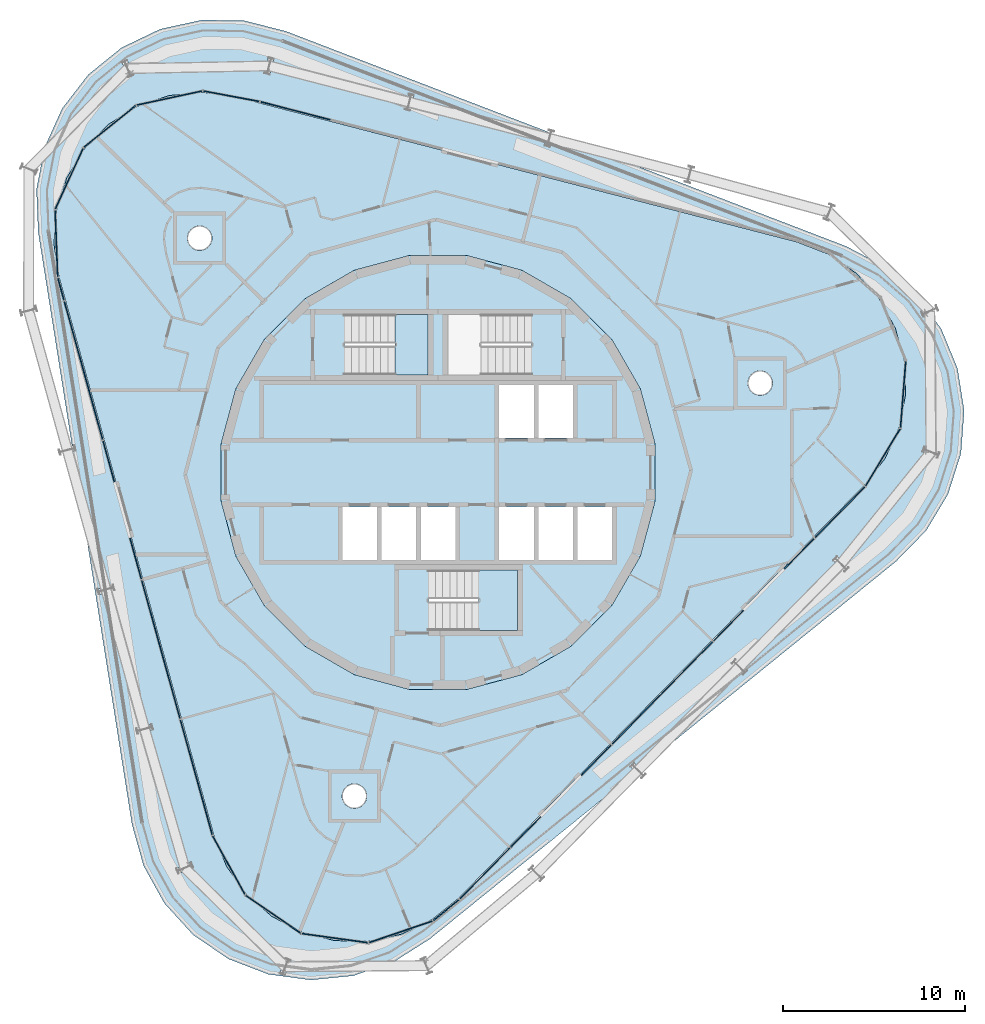
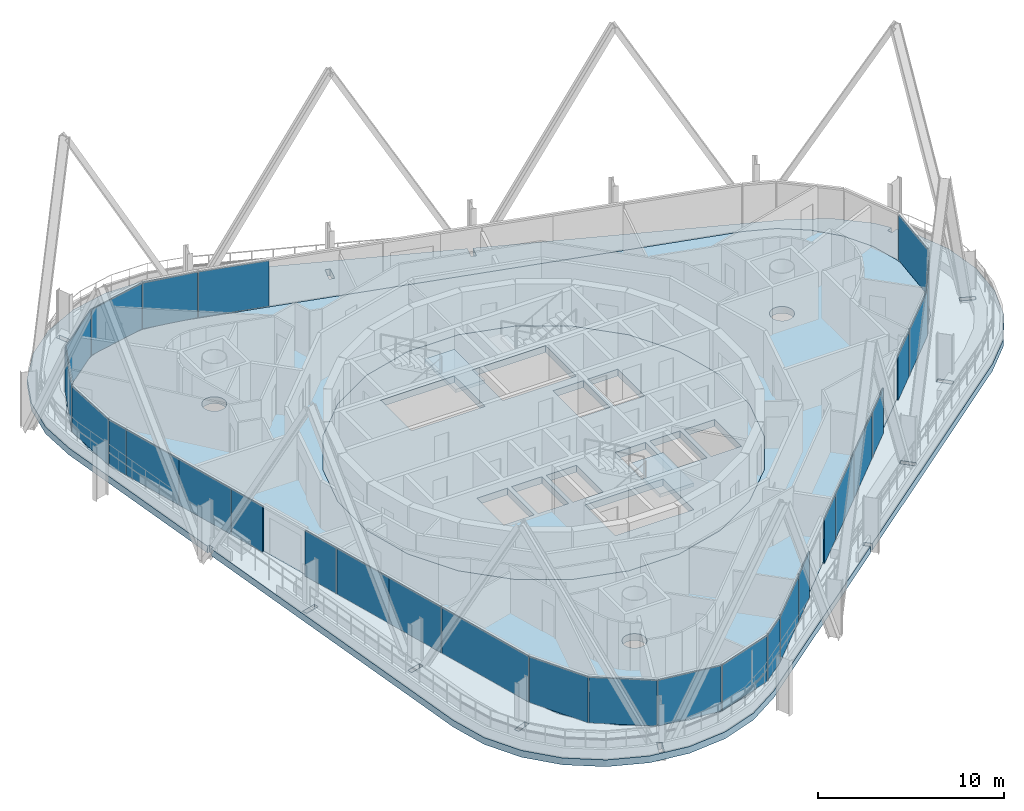
# One storey, part 8 of 18: 29 plates, 5 slabs, 8 elements without a shape of their own.
"""IFC4 building model written with IfcOpenShell, lengths in metres."""

from ifc_helpers import new_model, si_unit, direction, frame, origin, origin_2d, place, context, subcontext, project, spatial, polyline, rectangle, outline, extrude, material, layer, layer_set, type_object, element, aggregate, save


model = new_model("IFC4")

# Units and contexts
model_context = context("Model", 3, precision=1e-05, world=origin(), true_north=direction((0.0, 1.0)))
body_context = subcontext(model_context, "Body", "Model", "MODEL_VIEW")
ifc_project = project(units=[si_unit("LENGTHUNIT", "METRE"), si_unit("AREAUNIT", "SQUARE_METRE"), si_unit("VOLUMEUNIT", "CUBIC_METRE"), si_unit("PLANEANGLEUNIT", "RADIAN"), si_unit("MASSUNIT", "GRAM", prefix="KILO")], contexts=[model_context])

# Site, building, storey
site_placement = place(None, origin())
site = spatial("IfcSite", under=ifc_project, at=site_placement, CompositionType="ELEMENT")
building_placement = place(site_placement, origin())
building = spatial("IfcBuilding", under=site, at=building_placement, Name="Spindle Arch Residences", CompositionType="ELEMENT")
storey_placement = place(building_placement, frame((0.0, 0.0, 298.199951171875)))
storey = spatial("IfcBuildingStorey", under=building, at=storey_placement, Name="L76", CompositionType="ELEMENT", Elevation=298.199951171875)

# Slabs
ifc_material_1 = material(Name="Concrete C40/50", Category="concrete")
ifc_layer_1 = layer(ifc_material_1, 0.449951171875)
ifc_layer_set_1 = layer_set([ifc_layer_1], Name="Compartment floor slab 450")
slab_type_1 = type_object("IfcSlabType", Name="Compartment floor slab 450", PredefinedType="FLOOR", material=ifc_layer_set_1)
slab_1_placement = place(storey_placement, frame((0.0, 0.0, -0.449951171875)))
element("IfcSlab", 1, at=slab_1_placement, inside=storey, type_object=slab_type_1, Name="Floor slab L76", PredefinedType="FLOOR", context=body_context, shape_type="SweptSolid", body=[
    extrude(outline(polyline([(-0.330078125, -24.517333984375), (-2.006591796875, -25.317138671875), (-3.822509765625, -25.70849609375), (-5.6796875, -25.6708984375), (-7.477783203125, -25.205810546875), (-9.12060546875, -24.33837890625), (-10.518798828125, -23.11572265625), (-11.597412109375, -21.603515625), (-12.29833984375, -19.88330078125), (-20.782470703125, 10.709228515625), (-21.067626953125, 12.544677734375), (-20.921875, 14.396484375), (-20.35302734375, 16.164794921875), (-19.3916015625, 17.754150390625), (-18.08984375, 19.078857421875), (-16.517333984375, 20.06787109375), (-14.759521484375, 20.66748046875), (-12.910400390625, 20.845458984375), (-11.0703125, 20.59228515625), (19.665771484375, 12.6435546875), (21.397705078125, 11.972900390625), (22.9287109375, 10.920654296875), (24.175537109375, 9.5439453125), (25.0712890625, 7.916748046875), (25.567626953125, 6.126708984375), (25.637939453125, 4.2705078125), (25.2783203125, 2.4482421875), (24.5078125, 0.758056640625), (23.36865234375, -0.708984375), (12.24267578125, -12.03076171875), (1.11669921875, -23.352783203125), (-0.330078125, -24.517333984375)]), holes=[polyline([(7.30517578125, -9.520263671875), (9.520263671875, -7.30517578125), (11.086669921875, -4.59228515625), (11.897216796875, -1.56640625), (11.897216796875, 1.56640625), (11.086669921875, 4.59228515625), (9.520263671875, 7.30517578125), (7.30517578125, 9.520263671875), (4.59228515625, 11.086669921875), (1.56640625, 11.897216796875), (-1.56640625, 11.897216796875), (-4.59228515625, 11.086669921875), (-7.30517578125, 9.520263671875), (-9.520263671875, 7.30517578125), (-11.086669921875, 4.59228515625), (-11.897216796875, 1.56640625), (-11.897216796875, -1.56640625), (-11.086669921875, -4.59228515625), (-9.520263671875, -7.30517578125), (-7.30517578125, -9.520263671875), (-4.59228515625, -11.086669921875), (-1.56640625, -11.897216796875), (1.56640625, -11.897216796875), (4.59228515625, -11.086669921875), (7.30517578125, -9.520263671875)]), polyline([(-4.028076171875, -18.120361328125), (-3.9658203125, -18.003662109375), (-3.92724609375, -17.877197265625), (-3.914306640625, -17.745361328125), (-3.92724609375, -17.61376953125), (-3.9658203125, -17.487060546875), (-4.028076171875, -17.370361328125), (-4.112060546875, -17.26806640625), (-4.21435546875, -17.18408203125), (-4.3310546875, -17.121826171875), (-4.45751953125, -17.08349609375), (-4.58935546875, -17.0703125), (-4.720947265625, -17.08349609375), (-4.84765625, -17.121826171875), (-4.96435546875, -17.18408203125), (-5.066650390625, -17.26806640625), (-5.150390625, -17.370361328125), (-5.212890625, -17.487060546875), (-5.251220703125, -17.61376953125), (-5.264404296875, -17.745361328125), (-5.251220703125, -17.877197265625), (-5.212890625, -18.003662109375), (-5.150390625, -18.120361328125), (-5.066650390625, -18.22265625), (-4.96435546875, -18.306640625), (-4.84765625, -18.368896484375), (-4.720947265625, -18.407470703125), (-4.58935546875, -18.42041015625), (-4.45751953125, -18.407470703125), (-4.3310546875, -18.368896484375), (-4.21435546875, -18.306640625), (-4.112060546875, -18.22265625), (-4.028076171875, -18.120361328125)]), polyline([(-12.595947265625, 12.369873046875), (-12.51220703125, 12.47216796875), (-12.44970703125, 12.5888671875), (-12.411376953125, 12.71533203125), (-12.398193359375, 12.84716796875), (-12.411376953125, 12.978759765625), (-12.44970703125, 13.10546875), (-12.51220703125, 13.22216796875), (-12.595947265625, 13.324462890625), (-12.6982421875, 13.408203125), (-12.81494140625, 13.470703125), (-12.941650390625, 13.509033203125), (-13.0732421875, 13.522216796875), (-13.205078125, 13.509033203125), (-13.33154296875, 13.470703125), (-13.4482421875, 13.408203125), (-13.550537109375, 13.324462890625), (-13.634521484375, 13.22216796875), (-13.697021484375, 13.10546875), (-13.7353515625, 12.978759765625), (-13.748291015625, 12.84716796875), (-13.7353515625, 12.71533203125), (-13.697021484375, 12.5888671875), (-13.634521484375, 12.47216796875), (-13.550537109375, 12.369873046875), (-13.4482421875, 12.285888671875), (-13.33154296875, 12.223388671875), (-13.205078125, 12.18505859375), (-13.0732421875, 12.172119140625), (-12.941650390625, 12.18505859375), (-12.81494140625, 12.223388671875), (-12.6982421875, 12.285888671875), (-12.595947265625, 12.369873046875)]), polyline([(18.139892578125, 4.4208984375), (18.223876953125, 4.523193359375), (18.2861328125, 4.639892578125), (18.32470703125, 4.7666015625), (18.337646484375, 4.898193359375), (18.32470703125, 5.030029296875), (18.2861328125, 5.156494140625), (18.223876953125, 5.273193359375), (18.139892578125, 5.37548828125), (18.03759765625, 5.45947265625), (17.9208984375, 5.52197265625), (17.794189453125, 5.560302734375), (17.66259765625, 5.5732421875), (17.531005859375, 5.560302734375), (17.404296875, 5.52197265625), (17.28759765625, 5.45947265625), (17.185302734375, 5.37548828125), (17.101318359375, 5.273193359375), (17.0390625, 5.156494140625), (17.00048828125, 5.030029296875), (16.987548828125, 4.898193359375), (17.00048828125, 4.7666015625), (17.0390625, 4.639892578125), (17.101318359375, 4.523193359375), (17.185302734375, 4.4208984375), (17.28759765625, 4.337158203125), (17.404296875, 4.274658203125), (17.531005859375, 4.236328125), (17.66259765625, 4.223388671875), (17.794189453125, 4.236328125), (17.9208984375, 4.274658203125), (18.03759765625, 4.337158203125), (18.139892578125, 4.4208984375)])]), origin(), (0.0, 0.0, 1.0), 0.449951171875),
])
ifc_material_2 = material(Name="Concrete C50/60", Category="concrete")
ifc_layer_2 = layer(ifc_material_2, 0.449951171875)
ifc_layer_set_2 = layer_set([ifc_layer_2], Name="Core floor slab 450")
slab_type_2 = type_object("IfcSlabType", Name="Core floor slab 450", PredefinedType="FLOOR", material=ifc_layer_set_2)
slab_2_placement = place(storey_placement, frame((0.0, 0.0, -0.449951171875)))
element("IfcSlab", 2, at=slab_2_placement, inside=storey, type_object=slab_type_2, Name="Core floor L76", PredefinedType="FLOOR", context=body_context, shape_type="SweptSolid", body=[
    extrude(outline(polyline([(1.56640625, -11.897216796875), (4.59228515625, -11.086669921875), (7.30517578125, -9.520263671875), (9.520263671875, -7.30517578125), (11.086669921875, -4.59228515625), (11.897216796875, -1.56640625), (11.897216796875, 1.56640625), (11.086669921875, 4.59228515625), (9.520263671875, 7.30517578125), (7.30517578125, 9.520263671875), (4.59228515625, 11.086669921875), (1.56640625, 11.897216796875), (-1.56640625, 11.897216796875), (-4.59228515625, 11.086669921875), (-7.30517578125, 9.520263671875), (-9.520263671875, 7.30517578125), (-11.086669921875, 4.59228515625), (-11.897216796875, 1.56640625), (-11.897216796875, -1.56640625), (-11.086669921875, -4.59228515625), (-9.520263671875, -7.30517578125), (-7.30517578125, -9.520263671875), (-4.59228515625, -11.086669921875), (-1.56640625, -11.897216796875), (1.56640625, -11.897216796875)]), holes=[polyline([(3.35009765625, 1.89990234375), (5.25, 1.89990234375), (5.25, 4.800048828125), (3.35009765625, 4.800048828125), (3.35009765625, 1.89990234375)]), polyline([(5.5, 1.89990234375), (7.39990234375, 1.89990234375), (7.39990234375, 4.800048828125), (5.5, 4.800048828125), (5.5, 1.89990234375)]), polyline([(-5.25, -4.800048828125), (-3.35009765625, -4.800048828125), (-3.35009765625, -1.89990234375), (-5.25, -1.89990234375), (-5.25, -4.800048828125)]), polyline([(-3.10009765625, -4.800048828125), (-1.199951171875, -4.800048828125), (-1.199951171875, -1.89990234375), (-3.10009765625, -1.89990234375), (-3.10009765625, -4.800048828125)]), polyline([(-0.949951171875, -4.800048828125), (0.949951171875, -4.800048828125), (0.949951171875, -1.89990234375), (-0.949951171875, -1.89990234375), (-0.949951171875, -4.800048828125)]), polyline([(3.35009765625, -4.800048828125), (5.25, -4.800048828125), (5.25, -1.89990234375), (3.35009765625, -1.89990234375), (3.35009765625, -4.800048828125)]), polyline([(5.5, -4.800048828125), (7.39990234375, -4.800048828125), (7.39990234375, -1.89990234375), (5.5, -1.89990234375), (5.5, -4.800048828125)]), polyline([(7.64990234375, -4.800048828125), (9.550048828125, -4.800048828125), (9.550048828125, -1.89990234375), (7.64990234375, -1.89990234375), (7.64990234375, -4.800048828125)]), polyline([(5.1298828125, 8.669921875), (0.550048828125, 8.669921875), (0.550048828125, 5.35009765625), (5.1298828125, 5.35009765625), (5.1298828125, 8.669921875)]), polyline([(-5.1298828125, 5.35009765625), (-0.550048828125, 5.35009765625), (-0.550048828125, 8.669921875), (-5.1298828125, 8.669921875), (-5.1298828125, 5.35009765625)]), polyline([(-0.530029296875, -8.669921875), (4.35009765625, -8.669921875), (4.35009765625, -5.35009765625), (-0.530029296875, -5.35009765625), (-0.530029296875, -8.669921875)])]), origin(), (0.0, 0.0, 1.0), 0.449951171875),
])

# Stair, slab
ifc_material_3 = material(Name="Concrete C50/60", Category="concrete")
stair_type = type_object("IfcStairType", Name="Exit stair 16 risers", PredefinedType="HALF_TURN_STAIR", material=ifc_material_3)
stair_1_placement = place(storey_placement, origin())
stair_1 = element("IfcStair", 3, at=stair_1_placement, inside=storey, type_object=stair_type, Name="L76 Exit stair ST2", PredefinedType="HALF_TURN_STAIR")
ifc_material_4 = material(Name="Concrete C50/60", Category="concrete")
ifc_layer_3 = layer(ifc_material_4, 0.219970703125)
ifc_layer_set_3 = layer_set([ifc_layer_3], Name="Exit stair landing 220")
slab_type_3 = type_object("IfcSlabType", Name="Exit stair landing 220", PredefinedType="LANDING", material=ifc_layer_set_3)
slab_3_placement = place(storey_placement, frame((0.0, 0.0, 1.530029296875)))
slab_3 = element("IfcSlab", 4, at=slab_3_placement, type_object=slab_type_3, Name="ST2 landing 1", PredefinedType="LANDING", context=body_context, shape_type="SweptSolid", body=[
    extrude(outline(polyline([(-2.3701171875, 5.35009765625), (-0.550048828125, 5.35009765625), (-0.550048828125, 8.669921875), (-2.3701171875, 8.669921875), (-2.3701171875, 5.35009765625)])), origin(), (0.0, 0.0, 1.0), 0.219970703125),
])
aggregate(stair_1, [slab_3])

stair_2_placement = place(storey_placement, origin())
stair_2 = element("IfcStair", 5, at=stair_2_placement, inside=storey, type_object=stair_type, Name="L76 Exit stair ST3", PredefinedType="HALF_TURN_STAIR")
slab_4_placement = place(storey_placement, frame((0.0, 0.0, 1.530029296875)))
slab_4 = element("IfcSlab", 6, at=slab_4_placement, type_object=slab_type_3, Name="ST3 landing 1", PredefinedType="LANDING", context=body_context, shape_type="SweptSolid", body=[
    extrude(outline(polyline([(2.22998046875, -8.669921875), (4.35009765625, -8.669921875), (4.35009765625, -5.35009765625), (2.22998046875, -5.35009765625), (2.22998046875, -8.669921875)])), origin(), (0.0, 0.0, 1.0), 0.219970703125),
])
aggregate(stair_2, [slab_4])

# Slab
ifc_material_5 = material(Name="Concrete C40/50", Category="concrete")
ifc_layer_4 = layer(ifc_material_5, 0.449951171875)
ifc_layer_set_4 = layer_set([ifc_layer_4], Name="Terrace slab 450")
slab_type_4 = type_object("IfcSlabType", Name="Terrace slab 450", PredefinedType="FLOOR", material=ifc_layer_set_4)
slab_5_placement = place(storey_placement, frame((0.0, 0.0, -0.449951171875)))
element("IfcSlab", 7, at=slab_5_placement, inside=storey, type_object=slab_type_4, Name="Terrace slab L75", PredefinedType="FLOOR", context=body_context, shape_type="SweptSolid", body=[
    extrude(outline(polyline([(-2.431884765625, -26.835205078125), (-4.649169921875, -27.5986328125), (-6.98291015625, -27.830078125), (-9.306884765625, -27.517333984375), (-11.496337890625, -26.677001953125), (-13.432861328125, -25.354248046875), (-15.011962890625, -23.62060546875), (-16.14892578125, -21.569580078125), (-16.7822265625, -19.311767578125), (-20.023681640625, 1.1533203125), (-19.857421875, 1.199462890625), (-19.9375, 1.488525390625), (-20.07080078125, 1.45166015625), (-21.928466796875, 13.180419921875), (-22.02392578125, 15.523681640625), (-21.576416015625, 17.82568359375), (-20.610107421875, 19.96240234375), (-19.17724609375, 21.818603515625), (-17.354736328125, 23.29443359375), (-15.240966796875, 24.310302734375), (-12.9501953125, 24.81103515625), (-10.60546875, 24.770263671875), (-8.333251953125, 24.189697265625), (6.0400390625, 18.672119140625), (5.845947265625, 17.921875), (6.136474609375, 17.8466796875), (6.322021484375, 18.56396484375), (22.37890625, 12.400390625), (24.455810546875, 11.3115234375), (26.2255859375, 9.77294921875), (26.81787109375, 8.947998046875), (26.48681640625, 8.807373046875), (26.60400390625, 8.53125), (26.9970703125, 8.697998046875), (27.593017578125, 7.867919921875), (28.484130859375, 5.698486328125), (28.85107421875, 3.38232421875), (28.673828125, 1.0439453125), (27.962158203125, -1.1904296875), (26.75439453125, -3.20068359375), (25.115478515625, -4.8779296875), (12.33251953125, -15.2294921875), (11.081787109375, -16.2421875), (10.743896484375, -15.91015625), (10.533447265625, -16.124267578125), (10.84716796875, -16.432373046875), (-0.450439453125, -25.580810546875), (-2.431884765625, -26.835205078125)]), holes=[polyline([(24.5078125, 0.758056640625), (25.2783203125, 2.4482421875), (25.637939453125, 4.2705078125), (25.567626953125, 6.126708984375), (25.0712890625, 7.916748046875), (24.175537109375, 9.5439453125), (22.9287109375, 10.920654296875), (21.397705078125, 11.972900390625), (19.665771484375, 12.6435546875), (-11.0703125, 20.59228515625), (-12.910400390625, 20.845458984375), (-14.759521484375, 20.66748046875), (-16.517333984375, 20.06787109375), (-18.08984375, 19.078857421875), (-19.3916015625, 17.754150390625), (-20.35302734375, 16.164794921875), (-20.921875, 14.396484375), (-21.067626953125, 12.544677734375), (-20.782470703125, 10.709228515625), (-12.29833984375, -19.88330078125), (-11.597412109375, -21.603515625), (-10.518798828125, -23.11572265625), (-9.12060546875, -24.33837890625), (-7.477783203125, -25.205810546875), (-5.6796875, -25.6708984375), (-3.822509765625, -25.70849609375), (-2.006591796875, -25.317138671875), (-0.330078125, -24.517333984375), (1.11669921875, -23.352783203125), (12.24267578125, -12.03076171875), (23.36865234375, -0.708984375), (24.5078125, 0.758056640625)]), polyline([(-8.680908203125, -27.470703125), (-8.402587890625, -27.583251953125), (-8.0654296875, -26.748779296875), (-8.34375, -26.636474609375), (-8.680908203125, -27.470703125)]), polyline([(-14.3603515625, -21.7265625), (-14.2431640625, -22.002685546875), (-13.414794921875, -21.6513671875), (-13.53173828125, -21.375244140625), (-14.3603515625, -21.7265625)]), polyline([(-16.563720703125, -14.044921875), (-16.4833984375, -14.333984375), (-15.6162109375, -14.093505859375), (-15.696533203125, -13.804443359375), (-16.563720703125, -14.044921875)]), polyline([(-17.817138671875, -6.157958984375), (-18.684326171875, -6.3984375), (-18.60400390625, -6.6875), (-17.73681640625, -6.447021484375), (-17.817138671875, -6.157958984375)]), polyline([(-1.320556640625, 20.704833984375), (-1.611083984375, 20.77978515625), (-1.83642578125, 19.90869140625), (-1.5458984375, 19.83349609375), (-1.320556640625, 20.704833984375)]), polyline([(-16.70458984375, 21.7890625), (-17.05615234375, 22.617431640625), (-17.33251953125, 22.50048828125), (-16.980712890625, 21.671875), (-16.70458984375, 21.7890625)]), polyline([(-9.228271484375, 21.8203125), (-9.0029296875, 22.69140625), (-9.29345703125, 22.7666015625), (-9.518798828125, 21.895263671875), (-9.228271484375, 21.8203125)]), polyline([(16.09521484375, -10.464599609375), (16.7373046875, -11.09521484375), (16.947509765625, -10.88134765625), (16.3056640625, -10.25048828125), (16.09521484375, -10.464599609375)]), polyline([(21.656982421875, -4.8046875), (22.299072265625, -5.435546875), (22.50927734375, -5.2216796875), (21.867431640625, -4.5908203125), (21.656982421875, -4.8046875)]), polyline([(27.387451171875, 0.80517578125), (27.499755859375, 1.083251953125), (26.665283203125, 1.42041015625), (26.552978515625, 1.142333984375), (27.387451171875, 0.80517578125)])]), origin(), (0.0, 0.0, 1.0), 0.449951171875),
])

# Curtain wall, plates
ifc_material_6 = material(Name="Aluminium bronze unitised frame with tinted glass", Category="aluminium")
ifc_layer_5 = layer(ifc_material_6, 0.159912109375)
ifc_layer_set_5 = layer_set([ifc_layer_5], Name="CW-D corner wall on the fillet arcs")
curtain_wall_type_1 = type_object("IfcCurtainWallType", Name="CW-D corner wall on the fillet arcs", PredefinedType="NOTDEFINED", material=ifc_layer_set_5)
curtain_wall_1_placement = place(storey_placement, origin())
curtain_wall_1 = element("IfcCurtainWall", 8, at=curtain_wall_1_placement, inside=storey, type_object=curtain_wall_type_1, Name="CW-D L76 run 1", PredefinedType="NOTDEFINED")
ifc_material_7 = material(Name="Tinted double glazing over aluminium faced non-combustible spandrel zone (K0)", Category="aluminium")
ifc_layer_6 = layer(ifc_material_7, 0.06005859375)
ifc_layer_set_6 = layer_set([ifc_layer_6], Name="Unitised glass panel with E 60 spandrel zone")
plate_type = type_object("IfcPlateType", Name="Unitised glass panel with E 60 spandrel zone", PredefinedType="CURTAIN_PANEL", material=ifc_layer_set_6)
plate_1_placement = place(storey_placement, frame((22.033935546875, -2.18115234375, -0.44970703125), z_axis=(0.0, 0.0, 1.0), x_axis=(0.7009092643, 0.713250449154, 0.0)))
plate_1 = element("IfcPlate", 9, at=plate_1_placement, type_object=plate_type, Name="CW-D unit 00", PredefinedType="CURTAIN_PANEL", context=body_context, shape_type="SweptSolid", body=[
    extrude(rectangle(XDim=3.910888671875, YDim=0.06005859375, at=origin_2d()), origin(), (0.0, 0.0, 1.0), 3.449951171875),
])
plate_2_placement = place(storey_placement, frame((24.39013671875, 0.829345703125, -0.44970703125), z_axis=(0.0, 0.0, 1.0), x_axis=(0.517529288252, 0.855665492936, 0.0)))
plate_2 = element("IfcPlate", 10, at=plate_2_placement, type_object=plate_type, Name="CW-D unit 01", PredefinedType="CURTAIN_PANEL", context=body_context, shape_type="SweptSolid", body=[
    extrude(rectangle(XDim=3.666748046875, YDim=0.06005859375, at=origin_2d()), origin(), (0.0, 0.0, 1.0), 3.449951171875),
])
plate_3_placement = place(storey_placement, frame((25.50048828125, 4.281494140625, -0.44970703125), z_axis=(0.0, 0.0, 1.0), x_axis=(0.078459091935, 0.996917334032, 0.0)))
plate_3 = element("IfcPlate", 11, at=plate_3_placement, type_object=plate_type, Name="CW-D unit 02", PredefinedType="CURTAIN_PANEL", context=body_context, shape_type="SweptSolid", body=[
    extrude(rectangle(XDim=3.666748046875, YDim=0.06005859375, at=origin_2d()), origin(), (0.0, 0.0, 1.0), 3.449951171875),
])
aggregate(curtain_wall_1, [plate_1, plate_2, plate_3])

# Curtain wall, plate
ifc_material_8 = material(Name="Aluminium bronze unitised frame with tinted glass", Category="aluminium")
ifc_layer_7 = layer(ifc_material_8, 0.159912109375)
ifc_layer_set_7 = layer_set([ifc_layer_7], Name="CW-C typical residential unitised wall")
curtain_wall_type_2 = type_object("IfcCurtainWallType", Name="CW-C typical residential unitised wall", PredefinedType="NOTDEFINED", material=ifc_layer_set_7)
curtain_wall_2_placement = place(storey_placement, origin())
curtain_wall_2 = element("IfcCurtainWall", 12, at=curtain_wall_2_placement, inside=storey, type_object=curtain_wall_type_2, Name="CW-C L76 run 2", PredefinedType="NOTDEFINED")
plate_4_placement = place(storey_placement, frame((-7.83154296875, 19.83740234375, -0.44970703125), z_axis=(0.0, 0.0, 1.0), x_axis=(-0.968147640378, 0.250380004054, 0.0)))
plate_4 = element("IfcPlate", 13, at=plate_4_placement, type_object=plate_type, Name="CW-C unit 07B", PredefinedType="CURTAIN_PANEL", context=body_context, shape_type="SweptSolid", body=[
    extrude(rectangle(XDim=3.9375, YDim=0.06005859375, at=origin_2d()), origin(), (0.0, 0.0, 1.0), 3.449951171875),
])
aggregate(curtain_wall_2, [plate_4])

# Curtain wall, plates
curtain_wall_3_placement = place(storey_placement, origin())
curtain_wall_3 = element("IfcCurtainWall", 14, at=curtain_wall_3_placement, inside=storey, type_object=curtain_wall_type_1, Name="CW-D L76 run 3", PredefinedType="NOTDEFINED")
plate_5_placement = place(storey_placement, frame((-11.337646484375, 20.631591796875, -0.44970703125), z_axis=(0.0, 0.0, 1.0), x_axis=(-0.98295670176, 0.183837217301, 0.0)))
plate_5 = element("IfcPlate", 15, at=plate_5_placement, type_object=plate_type, Name="CW-D unit 00", PredefinedType="CURTAIN_PANEL", context=body_context, shape_type="SweptSolid", body=[
    extrude(rectangle(XDim=3.13671875, YDim=0.06005859375, at=origin_2d()), origin(), (0.0, 0.0, 1.0), 3.449951171875),
])
plate_6_placement = place(storey_placement, frame((-14.73046875, 20.53271484375, -0.44970703125), z_axis=(0.0, 0.0, 1.0), x_axis=(-0.977538671364, -0.210756129184, 0.0)))
plate_6 = element("IfcPlate", 16, at=plate_6_placement, type_object=plate_type, Name="CW-D unit 01", PredefinedType="CURTAIN_PANEL", context=body_context, shape_type="SweptSolid", body=[
    extrude(rectangle(XDim=3.666748046875, YDim=0.06005859375, at=origin_2d()), origin(), (0.0, 0.0, 1.0), 3.449951171875),
])
plate_7_placement = place(storey_placement, frame((-18.00341796875, 18.9716796875, -0.44970703125), z_axis=(0.0, 0.0, 1.0), x_axis=(-0.778973288411, -0.627057107401, 0.0)))
plate_7 = element("IfcPlate", 17, at=plate_7_placement, type_object=plate_type, Name="CW-D unit 02", PredefinedType="CURTAIN_PANEL", context=body_context, shape_type="SweptSolid", body=[
    extrude(rectangle(XDim=3.666748046875, YDim=0.06005859375, at=origin_2d()), origin(), (0.0, 0.0, 1.0), 3.449951171875),
])
plate_8_placement = place(storey_placement, frame((-20.2275390625, 16.107421875, -0.44970703125), z_axis=(0.0, 0.0, 1.0), x_axis=(-0.414693245896, -0.9099612694, 0.0)))
plate_8 = element("IfcPlate", 18, at=plate_8_placement, type_object=plate_type, Name="CW-D unit 03", PredefinedType="CURTAIN_PANEL", context=body_context, shape_type="SweptSolid", body=[
    extrude(rectangle(XDim=3.666748046875, YDim=0.06005859375, at=origin_2d()), origin(), (0.0, 0.0, 1.0), 3.449951171875),
])
plate_9_placement = place(storey_placement, frame((-20.929931640625, 12.5498046875, -0.44970703125), z_axis=(0.0, 0.0, 1.0), x_axis=(0.037806455536, -0.999285080405, 0.0)))
plate_9 = element("IfcPlate", 19, at=plate_9_placement, type_object=plate_type, Name="CW-D unit 04", PredefinedType="CURTAIN_PANEL", context=body_context, shape_type="SweptSolid", body=[
    extrude(rectangle(XDim=3.666748046875, YDim=0.06005859375, at=origin_2d()), origin(), (0.0, 0.0, 1.0), 3.449951171875),
])
plate_10_placement = place(storey_placement, frame((-20.682373046875, 10.049072265625, -0.44970703125), z_axis=(0.0, 0.0, 1.0), x_axis=(0.267238376078, -0.963630453209, 0.0)))
plate_10 = element("IfcPlate", 20, at=plate_10_placement, type_object=plate_type, Name="CW-D unit 05", PredefinedType="CURTAIN_PANEL", context=body_context, shape_type="SweptSolid", body=[
    extrude(rectangle(XDim=1.265869140625, YDim=0.06005859375, at=origin_2d()), origin(), (0.0, 0.0, 1.0), 3.449951171875),
])
aggregate(curtain_wall_3, [plate_5, plate_6, plate_7, plate_8, plate_9, plate_10])

curtain_wall_4_placement = place(storey_placement, origin())
curtain_wall_4 = element("IfcCurtainWall", 21, at=curtain_wall_4_placement, inside=storey, type_object=curtain_wall_type_2, Name="CW-C L76 run 4", PredefinedType="NOTDEFINED")
plate_11_placement = place(storey_placement, frame((-19.970947265625, 7.484130859375, -0.44970703125), z_axis=(0.0, 0.0, 1.0), x_axis=(0.267238376078, -0.963630453209, 0.0)))
plate_11 = element("IfcPlate", 22, at=plate_11_placement, type_object=plate_type, Name="CW-C unit 11A", PredefinedType="CURTAIN_PANEL", context=body_context, shape_type="SweptSolid", body=[
    extrude(rectangle(XDim=3.9375, YDim=0.06005859375, at=origin_2d()), origin(), (0.0, 0.0, 1.0), 3.449951171875),
])
plate_12_placement = place(storey_placement, frame((-18.918701171875, 3.689697265625, -0.44970703125), z_axis=(0.0, 0.0, 1.0), x_axis=(0.267238376078, -0.963630453209, 0.0)))
plate_12 = element("IfcPlate", 23, at=plate_12_placement, type_object=plate_type, Name="CW-C unit 11B", PredefinedType="CURTAIN_PANEL", context=body_context, shape_type="SweptSolid", body=[
    extrude(rectangle(XDim=3.9375, YDim=0.06005859375, at=origin_2d()), origin(), (0.0, 0.0, 1.0), 3.449951171875),
])
plate_13_placement = place(storey_placement, frame((-18.064208984375, 0.6083984375, -0.44970703125), z_axis=(0.0, 0.0, 1.0), x_axis=(0.267238376078, -0.963630453209, 0.0)))
plate_13 = element("IfcPlate", 24, at=plate_13_placement, type_object=plate_type, Name="CW-C unit 12L", PredefinedType="CURTAIN_PANEL", context=body_context, shape_type="SweptSolid", body=[
    extrude(rectangle(XDim=2.337646484375, YDim=0.06005859375, at=origin_2d()), origin(), (0.0, 0.0, 1.0), 3.449951171875),
])
plate_14_placement = place(storey_placement, frame((-16.58447265625, -4.727783203125, -0.44970703125), z_axis=(0.0, 0.0, 1.0), x_axis=(0.267238376078, -0.963630453209, 0.0)))
plate_14 = element("IfcPlate", 25, at=plate_14_placement, type_object=plate_type, Name="CW-C unit 12R", PredefinedType="CURTAIN_PANEL", context=body_context, shape_type="SweptSolid", body=[
    extrude(rectangle(XDim=2.337646484375, YDim=0.06005859375, at=origin_2d()), origin(), (0.0, 0.0, 1.0), 3.449951171875),
])
plate_15_placement = place(storey_placement, frame((-15.72998046875, -7.808837890625, -0.44970703125), z_axis=(0.0, 0.0, 1.0), x_axis=(0.267238376078, -0.963630453209, 0.0)))
plate_15 = element("IfcPlate", 26, at=plate_15_placement, type_object=plate_type, Name="CW-C unit 13A", PredefinedType="CURTAIN_PANEL", context=body_context, shape_type="SweptSolid", body=[
    extrude(rectangle(XDim=3.9375, YDim=0.06005859375, at=origin_2d()), origin(), (0.0, 0.0, 1.0), 3.449951171875),
])
plate_16_placement = place(storey_placement, frame((-14.677490234375, -11.603271484375, -0.44970703125), z_axis=(0.0, 0.0, 1.0), x_axis=(0.267238376078, -0.963630453209, 0.0)))
plate_16 = element("IfcPlate", 27, at=plate_16_placement, type_object=plate_type, Name="CW-C unit 13B", PredefinedType="CURTAIN_PANEL", context=body_context, shape_type="SweptSolid", body=[
    extrude(rectangle(XDim=3.9375, YDim=0.06005859375, at=origin_2d()), origin(), (0.0, 0.0, 1.0), 3.449951171875),
])
aggregate(curtain_wall_4, [plate_11, plate_12, plate_13, plate_14, plate_15, plate_16])

curtain_wall_5_placement = place(storey_placement, origin())
curtain_wall_5 = element("IfcCurtainWall", 28, at=curtain_wall_5_placement, inside=storey, type_object=curtain_wall_type_1, Name="CW-D L76 run 5", PredefinedType="NOTDEFINED")
plate_17_placement = place(storey_placement, frame((-13.259521484375, -16.717041015625, -0.44970703125), z_axis=(0.0, 0.0, 1.0), x_axis=(0.267238376078, -0.963630453209, 0.0)))
plate_17 = element("IfcPlate", 29, at=plate_17_placement, type_object=plate_type, Name="CW-D unit 00", PredefinedType="CURTAIN_PANEL", context=body_context, shape_type="SweptSolid", body=[
    extrude(rectangle(XDim=6.555908203125, YDim=0.06005859375, at=origin_2d()), origin(), (0.0, 0.0, 1.0), 3.449951171875),
])
plate_18_placement = place(storey_placement, frame((-11.476806640625, -21.537109375, -0.44970703125), z_axis=(0.0, 0.0, 1.0), x_axis=(0.482263404731, -0.876026260142, 0.0)))
plate_18 = element("IfcPlate", 30, at=plate_18_placement, type_object=plate_type, Name="CW-D unit 01", PredefinedType="CURTAIN_PANEL", context=body_context, shape_type="SweptSolid", body=[
    extrude(rectangle(XDim=3.666748046875, YDim=0.06005859375, at=origin_2d()), origin(), (0.0, 0.0, 1.0), 3.449951171875),
])
plate_19_placement = place(storey_placement, frame((-9.04248046875, -24.224853515625, -0.44970703125), z_axis=(0.0, 0.0, 1.0), x_axis=(0.824126188573, -0.566406236997, 0.0)))
plate_19 = element("IfcPlate", 31, at=plate_19_placement, type_object=plate_type, Name="CW-D unit 02", PredefinedType="CURTAIN_PANEL", context=body_context, shape_type="SweptSolid", body=[
    extrude(rectangle(XDim=3.666748046875, YDim=0.06005859375, at=origin_2d()), origin(), (0.0, 0.0, 1.0), 3.449951171875),
])
plate_20_placement = place(storey_placement, frame((-5.660888671875, -25.5341796875, -0.44970703125), z_axis=(0.0, 0.0, 1.0), x_axis=(0.99066871764, -0.136291936259, 0.0)))
plate_20 = element("IfcPlate", 32, at=plate_20_placement, type_object=plate_type, Name="CW-D unit 03", PredefinedType="CURTAIN_PANEL", context=body_context, shape_type="SweptSolid", body=[
    extrude(rectangle(XDim=3.666748046875, YDim=0.06005859375, at=origin_2d()), origin(), (0.0, 0.0, 1.0), 3.449951171875),
])
plate_21_placement = place(storey_placement, frame((-2.05126953125, -25.186767578125, -0.44970703125), z_axis=(0.0, 0.0, 1.0), x_axis=(0.946461612616, 0.322816381002, 0.0)))
plate_21 = element("IfcPlate", 33, at=plate_21_placement, type_object=plate_type, Name="CW-D unit 04", PredefinedType="CURTAIN_PANEL", context=body_context, shape_type="SweptSolid", body=[
    extrude(rectangle(XDim=3.666748046875, YDim=0.06005859375, at=origin_2d()), origin(), (0.0, 0.0, 1.0), 3.449951171875),
])
plate_22_placement = place(storey_placement, frame((0.443115234375, -23.9970703125, -0.44970703125), z_axis=(0.0, 0.0, 1.0), x_axis=(0.778973292636, 0.627057102153, 0.0)))
plate_22 = element("IfcPlate", 34, at=plate_22_placement, type_object=plate_type, Name="CW-D unit 05", PredefinedType="CURTAIN_PANEL", context=body_context, shape_type="SweptSolid", body=[
    extrude(rectangle(XDim=1.816162109375, YDim=0.06005859375, at=origin_2d()), origin(), (0.0, 0.0, 1.0), 3.449951171875),
])
plate_23_placement = place(storey_placement, frame((2.5654296875, -21.99267578125, -0.44970703125), z_axis=(0.0, 0.0, 1.0), x_axis=(0.7009092643, 0.713250449154, 0.0)))
plate_23 = element("IfcPlate", 35, at=plate_23_placement, type_object=plate_type, Name="CW-D unit 06", PredefinedType="CURTAIN_PANEL", context=body_context, shape_type="SweptSolid", body=[
    extrude(rectangle(XDim=3.910888671875, YDim=0.06005859375, at=origin_2d()), origin(), (0.0, 0.0, 1.0), 3.449951171875),
])
aggregate(curtain_wall_5, [plate_17, plate_18, plate_19, plate_20, plate_21, plate_22, plate_23])

curtain_wall_6_placement = place(storey_placement, origin())
curtain_wall_6 = element("IfcCurtainWall", 36, at=curtain_wall_6_placement, inside=storey, type_object=curtain_wall_type_2, Name="CW-C L76 run 6", PredefinedType="NOTDEFINED")
plate_24_placement = place(storey_placement, frame((4.79736328125, -19.721435546875, -0.44970703125), z_axis=(0.0, 0.0, 1.0), x_axis=(0.7009092643, 0.713250449154, 0.0)))
plate_24 = element("IfcPlate", 37, at=plate_24_placement, type_object=plate_type, Name="CW-C unit 18L", PredefinedType="CURTAIN_PANEL", context=body_context, shape_type="SweptSolid", body=[
    extrude(rectangle(XDim=2.337646484375, YDim=0.06005859375, at=origin_2d()), origin(), (0.0, 0.0, 1.0), 3.449951171875),
])
plate_25_placement = place(storey_placement, frame((8.6787109375, -15.771728515625, -0.44970703125), z_axis=(0.0, 0.0, 1.0), x_axis=(0.7009092643, 0.713250449154, 0.0)))
plate_25 = element("IfcPlate", 38, at=plate_25_placement, type_object=plate_type, Name="CW-C unit 18R", PredefinedType="CURTAIN_PANEL", context=body_context, shape_type="SweptSolid", body=[
    extrude(rectangle(XDim=2.337646484375, YDim=0.06005859375, at=origin_2d()), origin(), (0.0, 0.0, 1.0), 3.449951171875),
])
plate_26_placement = place(storey_placement, frame((10.919921875, -13.4912109375, -0.44970703125), z_axis=(0.0, 0.0, 1.0), x_axis=(0.7009092643, 0.713250449154, 0.0)))
plate_26 = element("IfcPlate", 39, at=plate_26_placement, type_object=plate_type, Name="CW-C unit 19A", PredefinedType="CURTAIN_PANEL", context=body_context, shape_type="SweptSolid", body=[
    extrude(rectangle(XDim=3.9375, YDim=0.06005859375, at=origin_2d()), origin(), (0.0, 0.0, 1.0), 3.449951171875),
])
plate_27_placement = place(storey_placement, frame((13.6796875, -10.6826171875, -0.44970703125), z_axis=(0.0, 0.0, 1.0), x_axis=(0.7009092643, 0.713250449154, 0.0)))
plate_27 = element("IfcPlate", 40, at=plate_27_placement, type_object=plate_type, Name="CW-C unit 19B", PredefinedType="CURTAIN_PANEL", context=body_context, shape_type="SweptSolid", body=[
    extrude(rectangle(XDim=3.9375, YDim=0.06005859375, at=origin_2d()), origin(), (0.0, 0.0, 1.0), 3.449951171875),
])
plate_28_placement = place(storey_placement, frame((15.9208984375, -8.402099609375, -0.44970703125), z_axis=(0.0, 0.0, 1.0), x_axis=(0.7009092643, 0.713250449154, 0.0)))
plate_28 = element("IfcPlate", 41, at=plate_28_placement, type_object=plate_type, Name="CW-C unit 00L", PredefinedType="CURTAIN_PANEL", context=body_context, shape_type="SweptSolid", body=[
    extrude(rectangle(XDim=2.337646484375, YDim=0.06005859375, at=origin_2d()), origin(), (0.0, 0.0, 1.0), 3.449951171875),
])
plate_29_placement = place(storey_placement, frame((19.80224609375, -4.452392578125, -0.44970703125), z_axis=(0.0, 0.0, 1.0), x_axis=(0.7009092643, 0.713250449154, 0.0)))
plate_29 = element("IfcPlate", 42, at=plate_29_placement, type_object=plate_type, Name="CW-C unit 00R", PredefinedType="CURTAIN_PANEL", context=body_context, shape_type="SweptSolid", body=[
    extrude(rectangle(XDim=2.337646484375, YDim=0.06005859375, at=origin_2d()), origin(), (0.0, 0.0, 1.0), 3.449951171875),
])
aggregate(curtain_wall_6, [plate_24, plate_25, plate_26, plate_27, plate_28, plate_29])

save(model, "model.ifc")
